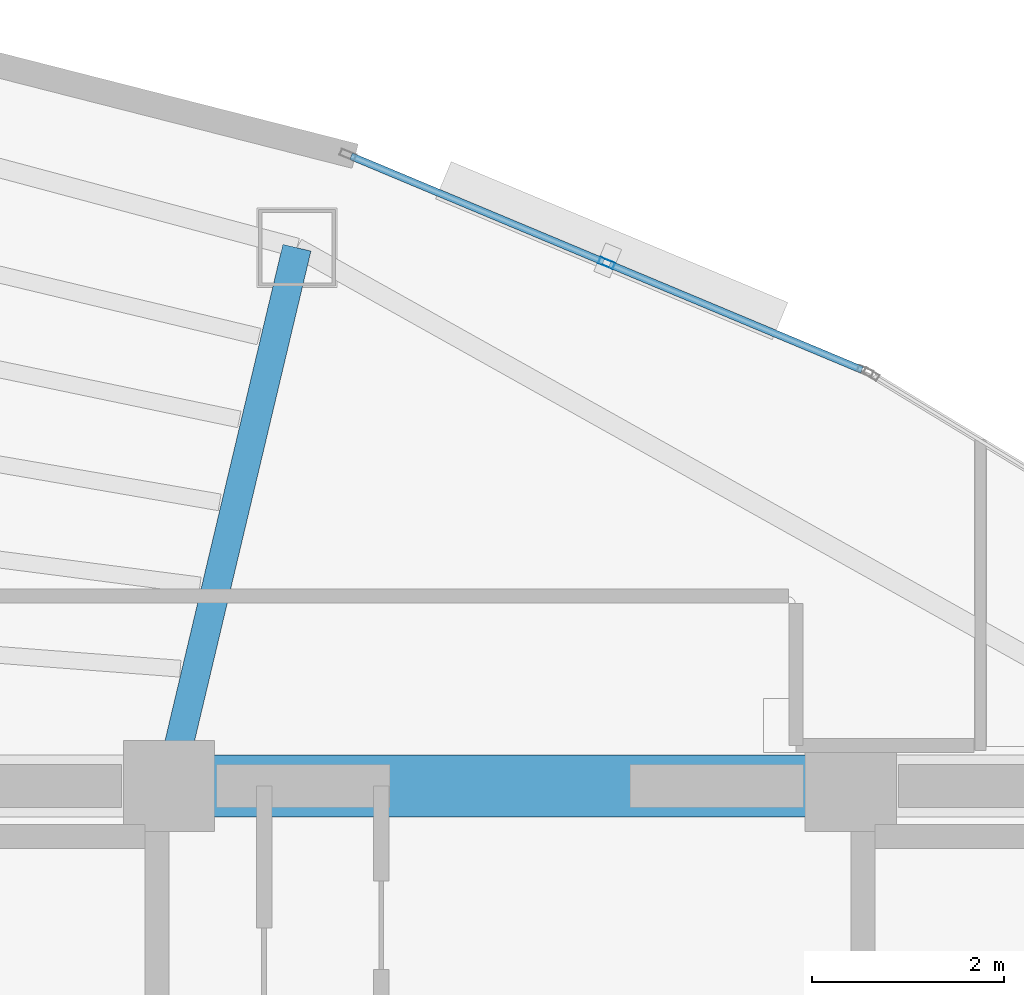
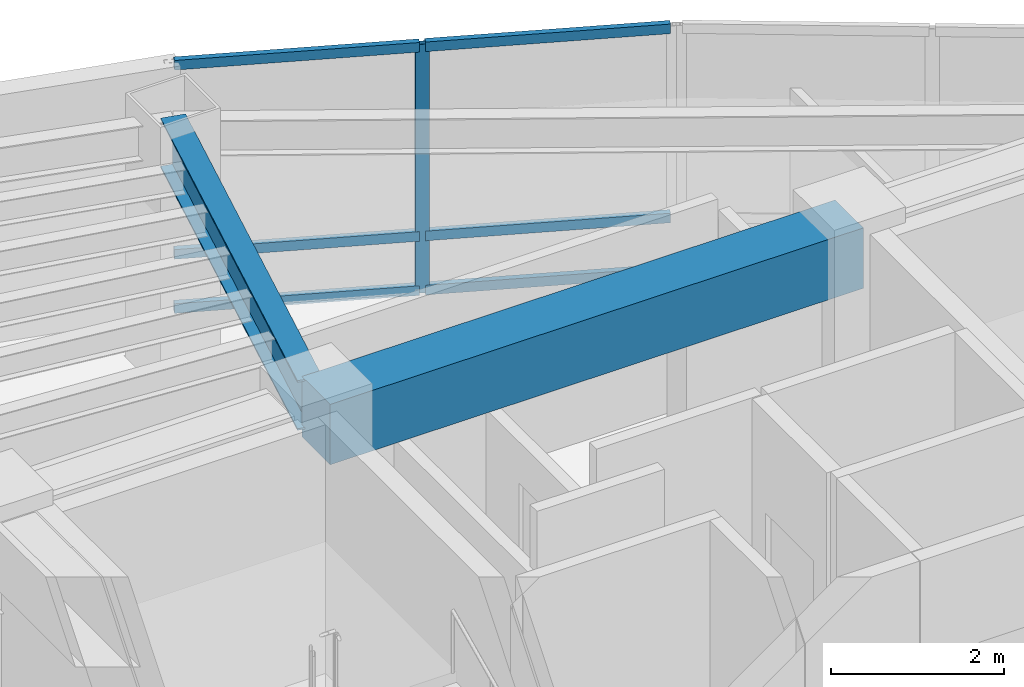
# One storey, part 8 of 15: 7 members, 2 beams, 1 element without a shape of its own.
"""IFC4 building model written with IfcOpenShell, lengths in metres."""

from ifc_helpers import new_model, si_unit, direction, frame, origin, origin_2d, place, context, subcontext, project, spatial, rectangle, hollow_rectangle, i_section, extrude, material, layer, layer_set, material_profile, profile_set, type_object, element, aggregate, save


model = new_model("IFC4")

# Units and contexts
model_context = context("Model", 3, precision=1e-05, world=origin(), true_north=direction((0.0, 1.0)))
body_context = subcontext(model_context, "Body", "Model", "MODEL_VIEW")
ifc_project = project(units=[si_unit("LENGTHUNIT", "METRE"), si_unit("AREAUNIT", "SQUARE_METRE"), si_unit("VOLUMEUNIT", "CUBIC_METRE"), si_unit("PLANEANGLEUNIT", "RADIAN"), si_unit("MASSUNIT", "GRAM", prefix="KILO")], contexts=[model_context])

# Site, building, storey
site_placement = place(None, origin())
site = spatial("IfcSite", under=ifc_project, at=site_placement, CompositionType="ELEMENT")
building_placement = place(site_placement, origin())
building = spatial("IfcBuilding", under=site, at=building_placement, Name="Menara Vayukalpa", CompositionType="ELEMENT")
storey_placement = place(building_placement, frame((0.0, 0.0, 262.02001953125)))
storey = spatial("IfcBuildingStorey", under=building, at=storey_placement, Name="L66", CompositionType="ELEMENT", Elevation=262.02001953125)

# Beams
ifc_material_1 = material(Name="Concrete C60/75", Category="concrete")
ifc_material_profile_1 = material_profile(ifc_material_1, rectangle(XDim=0.64990234375, YDim=0.85009765625, at=origin_2d()), Name="RC 650x850")
ifc_profile_set_1 = profile_set([ifc_material_profile_1], Name="Concrete C60/75")
beam_type_1 = type_object("IfcBeamType", Name="BM-CB1", PredefinedType="BEAM", material=ifc_profile_set_1)
beam_1_placement = place(storey_placement, frame((22.050048828125, 26.800048828125, 3.074951171875), z_axis=(1.0, 0.0, 0.0), x_axis=(0.0, 1.0, 0.0)))
element("IfcBeam", 1, at=beam_1_placement, inside=storey, type_object=beam_type_1, Name="L66 Core Tie Beam CBR5", PredefinedType="BEAM", context=body_context, shape_type="SweptSolid", body=[
    extrude(rectangle(XDim=0.64990234375, YDim=0.85009765625, at=origin_2d()), origin(), (0.0, 0.0, 1.0), 7.099853515625),
])
ifc_material_2 = material(Name="Steel S355", Category="steel")
ifc_material_profile_2 = material_profile(ifc_material_2, i_section(OverallWidth=0.300048828125, OverallDepth=0.699951171875, WebThickness=0.012939453125, FlangeThickness=0.02392578125, at=origin_2d()), Name="WF 700x300x13x24")
ifc_profile_set_2 = profile_set([ifc_material_profile_2], Name="Steel S355")
beam_type_2 = type_object("IfcBeamType", Name="BM-PG5", PredefinedType="BEAM", material=ifc_profile_set_2)
beam_2_placement = place(storey_placement, frame((22.10791015625, 27.043212890625, 3.14990234375), z_axis=(0.231167310854, 0.972914011818, 0.0), x_axis=(-0.972914011818, 0.231167310854, 0.0)))
element("IfcBeam", 2, at=beam_2_placement, inside=storey, type_object=beam_type_2, Name="L66 Primary Radial Girder RG03", PredefinedType="BEAM", context=body_context, shape_type="SweptSolid", body=[
    extrude(i_section(OverallWidth=0.300048828125, OverallDepth=0.699951171875, WebThickness=0.012939453125, FlangeThickness=0.02392578125, at=origin_2d()), origin(), (0.0, 0.0, 1.0), 5.5107421875),
])

# Curtain wall, members
ifc_material_3 = material(Name="Anodised Terracotta Aluminium Alloy 6063-T6", Category="masonry")
ifc_layer = layer(ifc_material_3, 0.1650390625)
ifc_layer_set = layer_set([ifc_layer], Name="Anodised Terracotta Aluminium Alloy 6063-T6")
curtain_wall_type = type_object("IfcCurtainWallType", Name="CW-CW6", PredefinedType="USERDEFINED", material=ifc_layer_set)
curtain_wall_placement = place(storey_placement, origin())
curtain_wall = element("IfcCurtainWall", 3, at=curtain_wall_placement, inside=storey, type_object=curtain_wall_type, Name="L66 Observation and Executive Curtain Wall CW6 05", ObjectType="UNITISED", PredefinedType="USERDEFINED")
ifc_material_4 = material(Name="Anodised Terracotta Aluminium Alloy 6063-T6", Category="masonry")
ifc_material_profile_3 = material_profile(ifc_material_4, hollow_rectangle(XDim=0.070068359375, YDim=0.1650390625, WallThickness=0.00390625, at=origin_2d()), Name="ALU 70x165x4")
ifc_profile_set_3 = profile_set([ifc_material_profile_3], Name="Anodised Terracotta Aluminium Alloy 6063-T6")
member_type_1 = type_object("IfcMemberType", Name="CWM-CW6", PredefinedType="MULLION", material=ifc_profile_set_3)
member_1_placement = place(storey_placement, frame((26.60595703125, 32.2451171875, 0.0), z_axis=(0.0, 0.0, 1.0), x_axis=(-0.385899911703, -0.922540653927, 0.0)))
member_1 = element("IfcMember", 4, at=member_1_placement, type_object=member_type_1, Name="CW6 mullion 2", PredefinedType="MULLION", context=body_context, shape_type="SweptSolid", body=[
    extrude(hollow_rectangle(XDim=0.070068359375, YDim=0.1650390625, WallThickness=0.00390625, at=origin_2d()), origin(), (0.0, 0.0, 1.0), 3.5),
])
ifc_material_5 = material(Name="Anodised Terracotta Aluminium Alloy 6063-T6", Category="masonry")
ifc_material_profile_4 = material_profile(ifc_material_5, hollow_rectangle(XDim=0.074951171875, YDim=0.135009765625, WallThickness=0.00390625, at=origin_2d()), Name="ALU 75x135x4")
ifc_profile_set_4 = profile_set([ifc_material_profile_4], Name="Anodised Terracotta Aluminium Alloy 6063-T6")
member_type_2 = type_object("IfcMemberType", Name="CWT-CW6", PredefinedType="USERDEFINED", material=ifc_profile_set_4)
member_2_placement = place(storey_placement, frame((29.266357421875, 31.13232421875, 0.03759765625), z_axis=(-0.922528286758, 0.385929475592, 0.0), x_axis=(-0.385929475592, -0.922528286758, 0.0)))
member_2 = element("IfcMember", 5, at=member_2_placement, type_object=member_type_2, Name="CW6 transom 1.1", ObjectType="TRANSOM", PredefinedType="USERDEFINED", context=body_context, shape_type="SweptSolid", body=[
    extrude(hollow_rectangle(XDim=0.074951171875, YDim=0.135009765625, WallThickness=0.00390625, at=origin_2d()), origin(), (0.0, 0.0, 1.0), 2.8486328125),
])
member_3_placement = place(storey_placement, frame((29.266357421875, 31.13232421875, 0.800048828125), z_axis=(-0.922528286758, 0.385929475592, 0.0), x_axis=(-0.385929475592, -0.922528286758, 0.0)))
member_3 = element("IfcMember", 6, at=member_3_placement, type_object=member_type_2, Name="CW6 transom 1.2", ObjectType="TRANSOM", PredefinedType="USERDEFINED", context=body_context, shape_type="SweptSolid", body=[
    extrude(hollow_rectangle(XDim=0.074951171875, YDim=0.135009765625, WallThickness=0.00390625, at=origin_2d()), origin(), (0.0, 0.0, 1.0), 2.8486328125),
])
member_4_placement = place(storey_placement, frame((29.266357421875, 31.13232421875, 3.46240234375), z_axis=(-0.922528286758, 0.385929475592, 0.0), x_axis=(-0.385929475592, -0.922528286758, 0.0)))
member_4 = element("IfcMember", 7, at=member_4_placement, type_object=member_type_2, Name="CW6 transom 1.3", ObjectType="TRANSOM", PredefinedType="USERDEFINED", context=body_context, shape_type="SweptSolid", body=[
    extrude(hollow_rectangle(XDim=0.074951171875, YDim=0.135009765625, WallThickness=0.00390625, at=origin_2d()), origin(), (0.0, 0.0, 1.0), 2.8486328125),
])
member_5_placement = place(storey_placement, frame((26.57373046875, 32.258544921875, 0.03759765625), z_axis=(-0.922541050276, 0.38589896418, 0.0), x_axis=(-0.38589896418, -0.922541050276, 0.0)))
member_5 = element("IfcMember", 8, at=member_5_placement, type_object=member_type_2, Name="CW6 transom 2.1", ObjectType="TRANSOM", PredefinedType="USERDEFINED", context=body_context, shape_type="SweptSolid", body=[
    extrude(hollow_rectangle(XDim=0.074951171875, YDim=0.135009765625, WallThickness=0.00390625, at=origin_2d()), origin(), (0.0, 0.0, 1.0), 2.848876953125),
])
member_6_placement = place(storey_placement, frame((26.57373046875, 32.258544921875, 0.800048828125), z_axis=(-0.922541050276, 0.38589896418, 0.0), x_axis=(-0.38589896418, -0.922541050276, 0.0)))
member_6 = element("IfcMember", 9, at=member_6_placement, type_object=member_type_2, Name="CW6 transom 2.2", ObjectType="TRANSOM", PredefinedType="USERDEFINED", context=body_context, shape_type="SweptSolid", body=[
    extrude(hollow_rectangle(XDim=0.074951171875, YDim=0.135009765625, WallThickness=0.00390625, at=origin_2d()), origin(), (0.0, 0.0, 1.0), 2.848876953125),
])
member_7_placement = place(storey_placement, frame((26.57373046875, 32.258544921875, 3.46240234375), z_axis=(-0.922541050276, 0.38589896418, 0.0), x_axis=(-0.38589896418, -0.922541050276, 0.0)))
member_7 = element("IfcMember", 10, at=member_7_placement, type_object=member_type_2, Name="CW6 transom 2.3", ObjectType="TRANSOM", PredefinedType="USERDEFINED", context=body_context, shape_type="SweptSolid", body=[
    extrude(hollow_rectangle(XDim=0.074951171875, YDim=0.135009765625, WallThickness=0.00390625, at=origin_2d()), origin(), (0.0, 0.0, 1.0), 2.848876953125),
])
aggregate(curtain_wall, [member_1, member_2, member_3, member_4, member_5, member_6, member_7])

save(model, "model.ifc")
